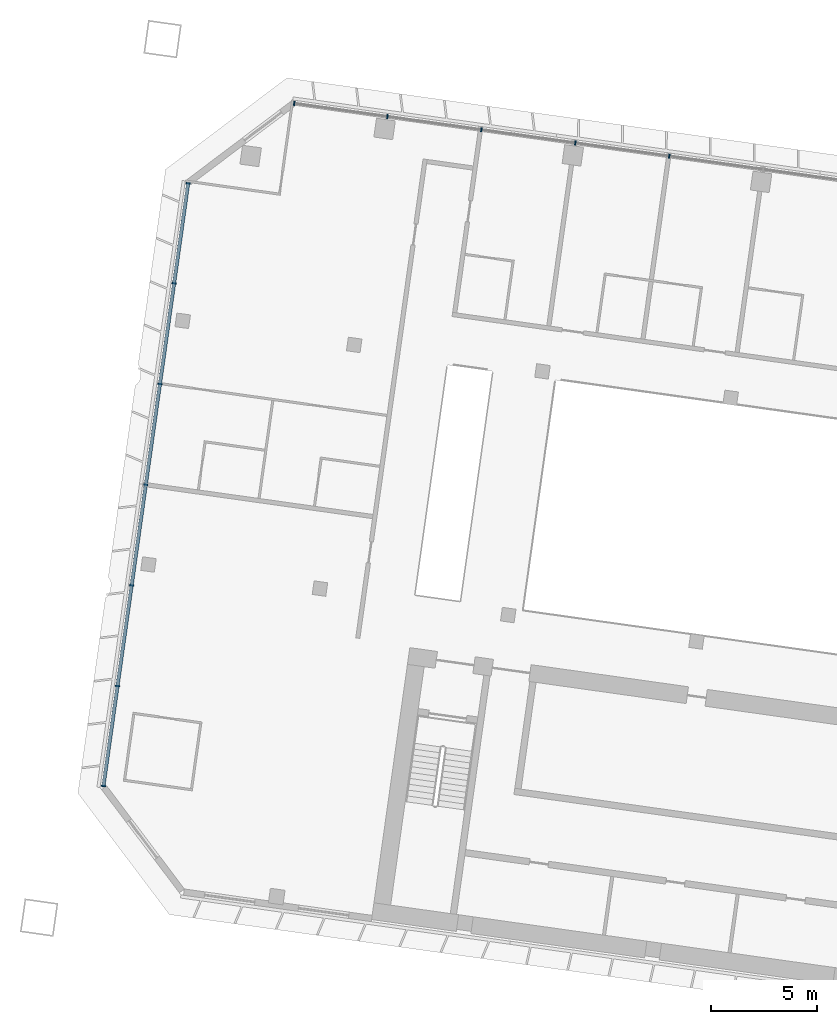
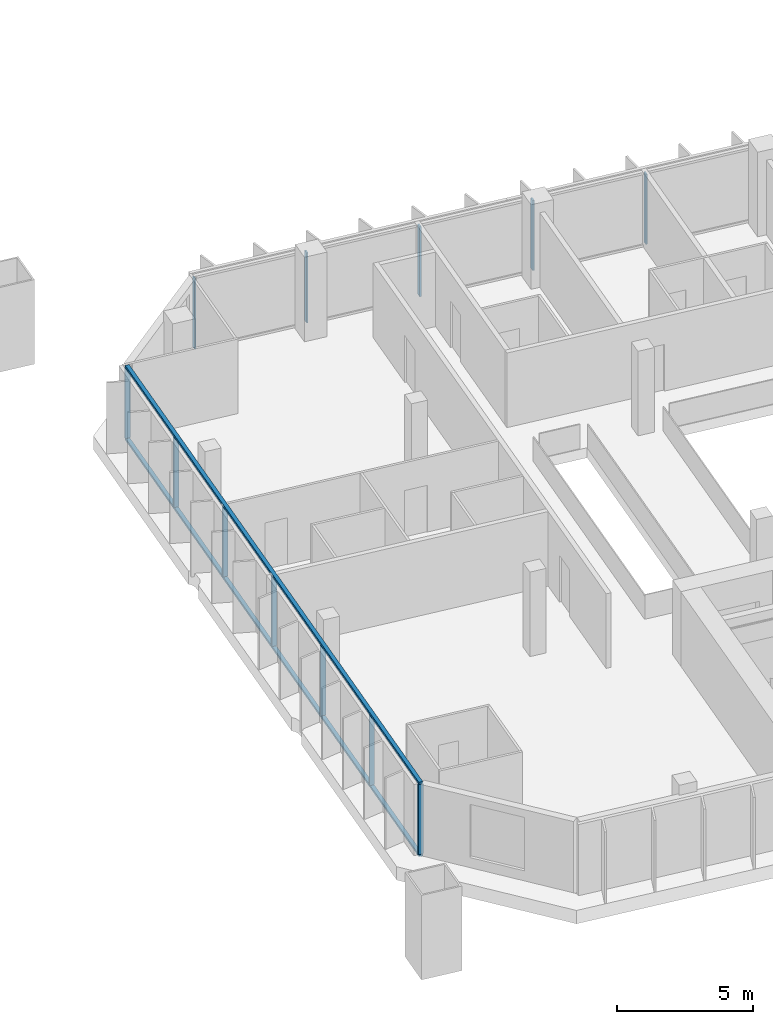
# One storey, part 2 of 25: 14 members, 2 elements without a shape of their own.
"""IFC4 building model written with IfcOpenShell, lengths in metres."""

from ifc_helpers import new_model, si_unit, direction, frame, origin, origin_2d, place, context, subcontext, project, spatial, rectangle, extrude, material, material_profile, profile_set, type_object, element, aggregate, save


model = new_model("IFC4")

# Units and contexts
model_context = context("Model", 3, precision=1e-05, world=origin(), true_north=direction((0.0, 1.0)))
body_context = subcontext(model_context, "Body", "Model", "MODEL_VIEW")
ifc_project = project(units=[si_unit("LENGTHUNIT", "METRE"), si_unit("AREAUNIT", "SQUARE_METRE"), si_unit("VOLUMEUNIT", "CUBIC_METRE"), si_unit("PLANEANGLEUNIT", "RADIAN"), si_unit("MASSUNIT", "GRAM", prefix="KILO")], contexts=[model_context])

# Site, building, storey
site_placement = place(None, origin())
site = spatial("IfcSite", under=ifc_project, at=site_placement, CompositionType="ELEMENT")
building_placement = place(site_placement, origin())
building = spatial("IfcBuilding", under=site, at=building_placement, Name="Mirante Cascada Hotel Towers", CompositionType="ELEMENT")
storey_placement = place(building_placement, frame((0.0, 0.0, 136.7)))
storey = spatial("IfcBuildingStorey", under=building, at=storey_placement, Name="L31", CompositionType="ELEMENT", Elevation=136.7)

# Curtain wall, members
ifc_material_1 = material(Name="Aluminium mullion and transom frame with clear laminated glass", Category="aluminium")
curtain_wall_type_1 = type_object("IfcCurtainWallType", Name="Ribbon curtain wall ECW1", PredefinedType="NOTDEFINED", material=ifc_material_1)
curtain_wall_1_placement = place(storey_placement, origin())
curtain_wall_1 = element("IfcCurtainWall", 1, at=curtain_wall_1_placement, inside=storey, type_object=curtain_wall_type_1, Name="Front ribbon wall T1 L31", PredefinedType="NOTDEFINED")
ifc_material_2 = material(Name="Anodised aluminium extrusion", Category="aluminium")
ifc_material_profile_1 = material_profile(ifc_material_2, rectangle(XDim=0.2, YDim=0.065, at=origin_2d()), Name="ECW1 MULLION 65x200")
ifc_profile_set_1 = profile_set([ifc_material_profile_1], Name="Anodised aluminium extrusion")
member_type_1 = type_object("IfcMemberType", Name="ECW1 mullion 65x200", PredefinedType="MULLION", material=ifc_profile_set_1)
member_1_placement = place(storey_placement, frame((-94.126, 26.0476, 0.1), z_axis=(0.0, 0.0, 1.0), x_axis=(0.1391731, 0.9902681, 0.0)))
member_1 = element("IfcMember", 2, at=member_1_placement, type_object=member_type_1, Name="ECW1 mullion 1", PredefinedType="MULLION", context=body_context, shape_type="SweptSolid", body=[
    extrude(rectangle(XDim=0.2, YDim=0.065, at=origin_2d()), origin(), (0.0, 0.0, 1.0), 3.15),
])
member_2_placement = place(storey_placement, frame((-89.7107, 25.427, 0.1), z_axis=(0.0, 0.0, 1.0), x_axis=(0.1391731, 0.9902681, 0.0)))
member_2 = element("IfcMember", 3, at=member_2_placement, type_object=member_type_1, Name="ECW1 mullion 2", PredefinedType="MULLION", context=body_context, shape_type="SweptSolid", body=[
    extrude(rectangle(XDim=0.2, YDim=0.065, at=origin_2d()), origin(), (0.0, 0.0, 1.0), 3.15),
])
member_3_placement = place(storey_placement, frame((-85.2633, 24.802, 0.1), z_axis=(0.0, 0.0, 1.0), x_axis=(0.1391731, 0.9902681, 0.0)))
member_3 = element("IfcMember", 4, at=member_3_placement, type_object=member_type_1, Name="ECW1 mullion 3", PredefinedType="MULLION", context=body_context, shape_type="SweptSolid", body=[
    extrude(rectangle(XDim=0.2, YDim=0.065, at=origin_2d()), origin(), (0.0, 0.0, 1.0), 3.15),
])
member_4_placement = place(storey_placement, frame((-80.8159, 24.177, 0.1), z_axis=(0.0, 0.0, 1.0), x_axis=(0.1391731, 0.9902681, 0.0)))
member_4 = element("IfcMember", 5, at=member_4_placement, type_object=member_type_1, Name="ECW1 mullion 4", PredefinedType="MULLION", context=body_context, shape_type="SweptSolid", body=[
    extrude(rectangle(XDim=0.2, YDim=0.065, at=origin_2d()), origin(), (0.0, 0.0, 1.0), 3.15),
])
member_5_placement = place(storey_placement, frame((-76.3685, 23.5519, 0.1), z_axis=(0.0, 0.0, 1.0), x_axis=(0.1391731, 0.9902681, 0.0)))
member_5 = element("IfcMember", 6, at=member_5_placement, type_object=member_type_1, Name="ECW1 mullion 5", PredefinedType="MULLION", context=body_context, shape_type="SweptSolid", body=[
    extrude(rectangle(XDim=0.2, YDim=0.065, at=origin_2d()), origin(), (0.0, 0.0, 1.0), 3.15),
])
aggregate(curtain_wall_1, [member_1, member_2, member_3, member_4, member_5])

ifc_material_3 = material(Name="Aluminium mullion and transom frame with clear laminated glass", Category="aluminium")
curtain_wall_type_2 = type_object("IfcCurtainWallType", Name="End ribbon curtain wall ECW2", PredefinedType="NOTDEFINED", material=ifc_material_3)
curtain_wall_2_placement = place(storey_placement, origin())
curtain_wall_2 = element("IfcCurtainWall", 7, at=curtain_wall_2_placement, inside=storey, type_object=curtain_wall_type_2, Name="Outer end wall T1 L31", PredefinedType="NOTDEFINED")
ifc_material_4 = material(Name="Anodised aluminium extrusion", Category="aluminium")
ifc_material_profile_2 = material_profile(ifc_material_4, rectangle(XDim=0.2, YDim=0.065, at=origin_2d()), Name="ECW2 MULLION 65x200")
ifc_profile_set_2 = profile_set([ifc_material_profile_2], Name="Anodised aluminium extrusion")
member_type_2 = type_object("IfcMemberType", Name="ECW2 mullion 65x200", PredefinedType="MULLION", material=ifc_profile_set_2)
member_6_placement = place(storey_placement, frame((-103.1556, -6.2656, 0.1), z_axis=(0.0, 0.0, 1.0), x_axis=(-0.9902681, 0.1391731, 0.0)))
member_6 = element("IfcMember", 8, at=member_6_placement, type_object=member_type_2, Name="ECW2 mullion 1", PredefinedType="MULLION", context=body_context, shape_type="SweptSolid", body=[
    extrude(rectangle(XDim=0.2, YDim=0.065, at=origin_2d()), origin(), (0.0, 0.0, 1.0), 3.15),
])
member_7_placement = place(storey_placement, frame((-102.4903, -1.532, 0.1), z_axis=(0.0, 0.0, 1.0), x_axis=(-0.9902681, 0.1391731, 0.0)))
member_7 = element("IfcMember", 9, at=member_7_placement, type_object=member_type_2, Name="ECW2 mullion 2", PredefinedType="MULLION", context=body_context, shape_type="SweptSolid", body=[
    extrude(rectangle(XDim=0.2, YDim=0.065, at=origin_2d()), origin(), (0.0, 0.0, 1.0), 3.15),
])
member_8_placement = place(storey_placement, frame((-101.8205, 3.2338, 0.1), z_axis=(0.0, 0.0, 1.0), x_axis=(-0.9902681, 0.1391731, 0.0)))
member_8 = element("IfcMember", 10, at=member_8_placement, type_object=member_type_2, Name="ECW2 mullion 3", PredefinedType="MULLION", context=body_context, shape_type="SweptSolid", body=[
    extrude(rectangle(XDim=0.2, YDim=0.065, at=origin_2d()), origin(), (0.0, 0.0, 1.0), 3.15),
])
member_9_placement = place(storey_placement, frame((-101.1508, 7.9996, 0.1), z_axis=(0.0, 0.0, 1.0), x_axis=(-0.9902681, 0.1391731, 0.0)))
member_9 = element("IfcMember", 11, at=member_9_placement, type_object=member_type_2, Name="ECW2 mullion 4", PredefinedType="MULLION", context=body_context, shape_type="SweptSolid", body=[
    extrude(rectangle(XDim=0.2, YDim=0.065, at=origin_2d()), origin(), (0.0, 0.0, 1.0), 3.15),
])
member_10_placement = place(storey_placement, frame((-100.481, 12.7654, 0.1), z_axis=(0.0, 0.0, 1.0), x_axis=(-0.9902681, 0.1391731, 0.0)))
member_10 = element("IfcMember", 12, at=member_10_placement, type_object=member_type_2, Name="ECW2 mullion 5", PredefinedType="MULLION", context=body_context, shape_type="SweptSolid", body=[
    extrude(rectangle(XDim=0.2, YDim=0.065, at=origin_2d()), origin(), (0.0, 0.0, 1.0), 3.15),
])
member_11_placement = place(storey_placement, frame((-99.8112, 17.5312, 0.1), z_axis=(0.0, 0.0, 1.0), x_axis=(-0.9902681, 0.1391731, 0.0)))
member_11 = element("IfcMember", 13, at=member_11_placement, type_object=member_type_2, Name="ECW2 mullion 6", PredefinedType="MULLION", context=body_context, shape_type="SweptSolid", body=[
    extrude(rectangle(XDim=0.2, YDim=0.065, at=origin_2d()), origin(), (0.0, 0.0, 1.0), 3.15),
])
member_12_placement = place(storey_placement, frame((-99.1459, 22.2648, 0.1), z_axis=(0.0, 0.0, 1.0), x_axis=(-0.9902681, 0.1391731, 0.0)))
member_12 = element("IfcMember", 14, at=member_12_placement, type_object=member_type_2, Name="ECW2 mullion 7", PredefinedType="MULLION", context=body_context, shape_type="SweptSolid", body=[
    extrude(rectangle(XDim=0.2, YDim=0.065, at=origin_2d()), origin(), (0.0, 0.0, 1.0), 3.15),
])
ifc_material_5 = material(Name="Anodised aluminium extrusion", Category="aluminium")
ifc_material_profile_3 = material_profile(ifc_material_5, rectangle(XDim=0.16, YDim=0.1, at=origin_2d()), Name="ECW2 TRANSOM 100x160")
ifc_profile_set_3 = profile_set([ifc_material_profile_3], Name="Anodised aluminium extrusion")
member_type_3 = type_object("IfcMemberType", Name="ECW2 transom 100x160", PredefinedType="USERDEFINED", material=ifc_profile_set_3)
member_13_placement = place(storey_placement, frame((-103.1601, -6.2978, 0.05), z_axis=(0.1391723, 0.9902682, 0.0), x_axis=(-0.9902682, 0.1391723, 0.0)))
member_13 = element("IfcMember", 15, at=member_13_placement, type_object=member_type_3, Name="ECW2 sill transom", ObjectType="TRANSOM", PredefinedType="USERDEFINED", context=body_context, shape_type="SweptSolid", body=[
    extrude(rectangle(XDim=0.16, YDim=0.1, at=origin_2d()), origin(), (0.0, 0.0, 1.0), 28.8757),
])
member_14_placement = place(storey_placement, frame((-103.1601, -6.2978, 3.3), z_axis=(0.1391723, 0.9902682, 0.0), x_axis=(-0.9902682, 0.1391723, 0.0)))
member_14 = element("IfcMember", 16, at=member_14_placement, type_object=member_type_3, Name="ECW2 head transom", ObjectType="TRANSOM", PredefinedType="USERDEFINED", context=body_context, shape_type="SweptSolid", body=[
    extrude(rectangle(XDim=0.16, YDim=0.1, at=origin_2d()), origin(), (0.0, 0.0, 1.0), 28.8757),
])
aggregate(curtain_wall_2, [member_13, member_14, member_6, member_7, member_8, member_9, member_10, member_11, member_12])

save(model, "model.ifc")
